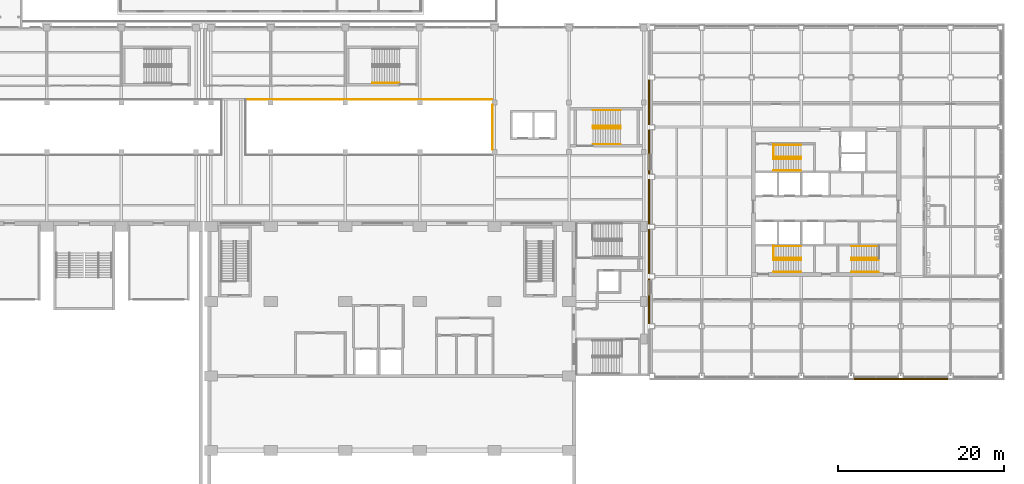
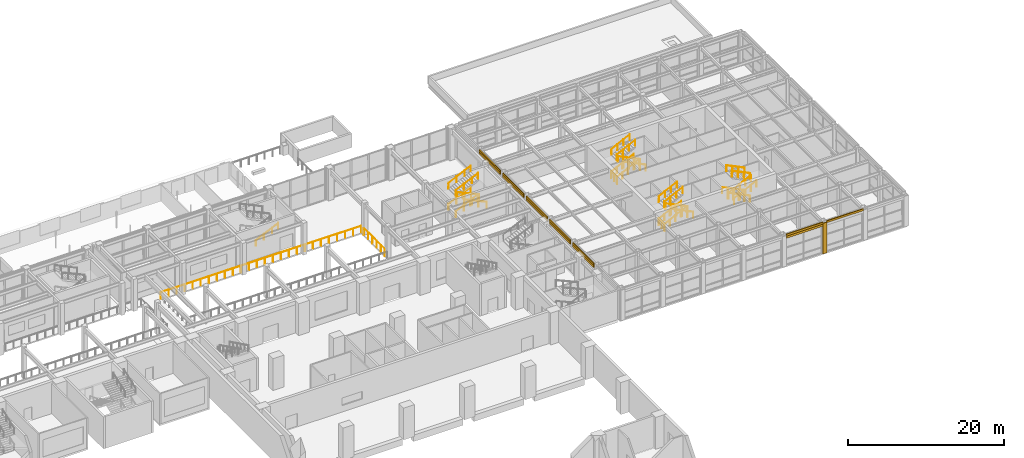
# One storey, part 60 of 67: 29 railings, 14 coverings.
"""IFC4 building model written with IfcOpenShell, lengths in metres."""

from ifc_helpers import new_model, si_unit, direction, frame, origin, origin_2d, place, context, subcontext, project, spatial, polyline, circle, outline, extrude, material, layer, layer_set, type_object, element, save


model = new_model("IFC4")

# Units and contexts
model_context = context("Model", 3, precision=1e-05, world=origin(), true_north=direction((0.0, 1.0)))
body_context = subcontext(model_context, "Body", "Model", "MODEL_VIEW")
ifc_project = project(units=[si_unit("LENGTHUNIT", "METRE"), si_unit("AREAUNIT", "SQUARE_METRE"), si_unit("VOLUMEUNIT", "CUBIC_METRE"), si_unit("PLANEANGLEUNIT", "RADIAN"), si_unit("MASSUNIT", "GRAM", prefix="KILO")], contexts=[model_context])

# Site, building, storey
site_placement = place(None, origin())
site = spatial("IfcSite", under=ifc_project, at=site_placement, CompositionType="ELEMENT")
building_placement = place(site_placement, origin())
building = spatial("IfcBuilding", under=site, at=building_placement, Name="Aravalli Gate Trade Fair Centre", CompositionType="ELEMENT")
storey_placement = place(building_placement, frame((0.0, 0.0, 5.0)))
storey = spatial("IfcBuildingStorey", under=building, at=storey_placement, Name="L01", CompositionType="ELEMENT", Elevation=5.0)

# Railings
ifc_material_1 = material(Name="Steel E350", Category="steel")
railing_type_1 = type_object("IfcRailingType", Name="Concourse guard 1100", PredefinedType="GUARDRAIL", material=ifc_material_1)
railing_1_placement = place(storey_placement, frame((110.949951171875, 124.35009765625, 0.0)))
element("IfcRailing", 1, at=railing_1_placement, inside=storey, type_object=railing_type_1, Name="Atrium guard N4 L01", PredefinedType="GUARDRAIL", context=body_context, shape_type="SweptSolid", body=[
    extrude(circle(Radius=0.02392578125, at=origin_2d()), frame((0.0, 0.0, 1.076171875), z_axis=(1.0, 0.0, 0.0), x_axis=(0.0, 1.0, 0.0)), (0.0, 0.0, 1.0), 29.75),
    extrude(circle(Radius=0.02099609375, at=origin_2d()), origin(), (0.0, 0.0, 1.0), 1.052001953125),
    extrude(circle(Radius=0.02099609375, at=origin_2d()), frame((1.18994140625, 0.0, 0.0)), (0.0, 0.0, 1.0), 1.052001953125),
    extrude(circle(Radius=0.02099609375, at=origin_2d()), frame((2.3798828125, 0.0, 0.0)), (0.0, 0.0, 1.0), 1.052001953125),
    extrude(circle(Radius=0.02099609375, at=origin_2d()), frame((3.570068359375, 0.0, 0.0)), (0.0, 0.0, 1.0), 1.052001953125),
    extrude(circle(Radius=0.02099609375, at=origin_2d()), frame((4.760009765625, 0.0, 0.0)), (0.0, 0.0, 1.0), 1.052001953125),
    extrude(circle(Radius=0.02099609375, at=origin_2d()), frame((5.949951171875, 0.0, 0.0)), (0.0, 0.0, 1.0), 1.052001953125),
    extrude(circle(Radius=0.02099609375, at=origin_2d()), frame((7.139892578125, 0.0, 0.0)), (0.0, 0.0, 1.0), 1.052001953125),
    extrude(circle(Radius=0.02099609375, at=origin_2d()), frame((8.330078125, 0.0, 0.0)), (0.0, 0.0, 1.0), 1.052001953125),
    extrude(circle(Radius=0.02099609375, at=origin_2d()), frame((9.52001953125, 0.0, 0.0)), (0.0, 0.0, 1.0), 1.052001953125),
    extrude(circle(Radius=0.02099609375, at=origin_2d()), frame((10.7099609375, 0.0, 0.0)), (0.0, 0.0, 1.0), 1.052001953125),
    extrude(circle(Radius=0.02099609375, at=origin_2d()), frame((11.89990234375, 0.0, 0.0)), (0.0, 0.0, 1.0), 1.052001953125),
    extrude(circle(Radius=0.02099609375, at=origin_2d()), frame((13.090087890625, 0.0, 0.0)), (0.0, 0.0, 1.0), 1.052001953125),
    extrude(circle(Radius=0.02099609375, at=origin_2d()), frame((14.280029296875, 0.0, 0.0)), (0.0, 0.0, 1.0), 1.052001953125),
    extrude(circle(Radius=0.02099609375, at=origin_2d()), frame((15.469970703125, 0.0, 0.0)), (0.0, 0.0, 1.0), 1.052001953125),
    extrude(circle(Radius=0.02099609375, at=origin_2d()), frame((16.659912109375, 0.0, 0.0)), (0.0, 0.0, 1.0), 1.052001953125),
    extrude(circle(Radius=0.02099609375, at=origin_2d()), frame((17.85009765625, 0.0, 0.0)), (0.0, 0.0, 1.0), 1.052001953125),
    extrude(circle(Radius=0.02099609375, at=origin_2d()), frame((19.0400390625, 0.0, 0.0)), (0.0, 0.0, 1.0), 1.052001953125),
    extrude(circle(Radius=0.02099609375, at=origin_2d()), frame((20.22998046875, 0.0, 0.0)), (0.0, 0.0, 1.0), 1.052001953125),
    extrude(circle(Radius=0.02099609375, at=origin_2d()), frame((21.419921875, 0.0, 0.0)), (0.0, 0.0, 1.0), 1.052001953125),
    extrude(circle(Radius=0.02099609375, at=origin_2d()), frame((22.610107421875, 0.0, 0.0)), (0.0, 0.0, 1.0), 1.052001953125),
    extrude(circle(Radius=0.02099609375, at=origin_2d()), frame((23.800048828125, 0.0, 0.0)), (0.0, 0.0, 1.0), 1.052001953125),
    extrude(circle(Radius=0.02099609375, at=origin_2d()), frame((24.989990234375, 0.0, 0.0)), (0.0, 0.0, 1.0), 1.052001953125),
    extrude(circle(Radius=0.02099609375, at=origin_2d()), frame((26.179931640625, 0.0, 0.0)), (0.0, 0.0, 1.0), 1.052001953125),
    extrude(circle(Radius=0.02099609375, at=origin_2d()), frame((27.3701171875, 0.0, 0.0)), (0.0, 0.0, 1.0), 1.052001953125),
    extrude(circle(Radius=0.02099609375, at=origin_2d()), frame((28.56005859375, 0.0, 0.0)), (0.0, 0.0, 1.0), 1.052001953125),
    extrude(circle(Radius=0.02099609375, at=origin_2d()), frame((29.75, 0.0, 0.0)), (0.0, 0.0, 1.0), 1.052001953125),
])
railing_2_placement = place(storey_placement, frame((140.75, 118.300048828125, 0.0)))
element("IfcRailing", 2, at=railing_2_placement, inside=storey, type_object=railing_type_1, Name="Atrium guard E L01", PredefinedType="GUARDRAIL", context=body_context, shape_type="SweptSolid", body=[
    extrude(circle(Radius=0.02392578125, at=origin_2d()), frame((0.0, 0.0, 1.076171875), z_axis=(0.0, 1.0, 0.0), x_axis=(-1.0, 0.0, 0.0)), (0.0, 0.0, 1.0), 5.39990234375),
    extrude(circle(Radius=0.02099609375, at=origin_2d()), origin(), (0.0, 0.0, 1.0), 1.052001953125),
    extrude(circle(Radius=0.02099609375, at=origin_2d()), frame((0.0, 1.080078125, 0.0)), (0.0, 0.0, 1.0), 1.052001953125),
    extrude(circle(Radius=0.02099609375, at=origin_2d()), frame((0.0, 2.159912109375, 0.0)), (0.0, 0.0, 1.0), 1.052001953125),
    extrude(circle(Radius=0.02099609375, at=origin_2d()), frame((0.0, 3.239990234375, 0.0)), (0.0, 0.0, 1.0), 1.052001953125),
    extrude(circle(Radius=0.02099609375, at=origin_2d()), frame((0.0, 4.31982421875, 0.0)), (0.0, 0.0, 1.0), 1.052001953125),
    extrude(circle(Radius=0.02099609375, at=origin_2d()), frame((0.0, 5.39990234375, 0.0)), (0.0, 0.0, 1.0), 1.052001953125),
])
railing_type_2 = type_object("IfcRailingType", Name="Concourse stair handrail 900", PredefinedType="HANDRAIL", material=ifc_material_1)
for number, where, name in (
    (3, (152.89990234375, 123.050048828125, 0.138916015625), "Handrail ES L01 flight 1o"),
    (4, (152.89990234375, 121.14990234375, 0.138916015625), "Handrail ES L01 flight 1i"),
):
    element("IfcRailing", number, at=place(storey_placement, frame(where)), inside=storey, type_object=railing_type_2, Name=name, PredefinedType="HANDRAIL", context=body_context, shape_type="SweptSolid", body=[
        extrude(circle(Radius=0.02392578125, at=origin_2d()), frame((0.0, 0.0, 0.8759765625), z_axis=(0.907532064172, 0.0, 0.419982800242), x_axis=(0.0, 1.0, 0.0)), (0.0, 0.0, 1.0), 1.322509765625),
        extrude(circle(Radius=0.02392578125, at=origin_2d()), frame((1.2001953125, 0.0, 1.43115234375), z_axis=(0.907429102623, 0.0, 0.420205216189), x_axis=(0.0, 1.0, 0.0)), (0.0, 0.0, 1.0), 1.322265625),
        extrude(circle(Radius=0.02392578125, at=origin_2d()), frame((2.400146484375, 0.0, 1.98681640625), z_axis=(0.907418235185, 0.0, 0.420228683522), x_axis=(0.0, 1.0, 0.0)), (0.0, 0.0, 1.0), 0.99169921875),
        extrude(circle(Radius=0.02099609375, at=origin_2d()), origin(), (0.0, 0.0, 1.0), 0.851806640625),
        extrude(circle(Radius=0.02099609375, at=origin_2d()), frame((1.2001953125, 0.0, 0.555419921875)), (0.0, 0.0, 1.0), 0.851806640625),
        extrude(circle(Radius=0.02099609375, at=origin_2d()), frame((2.400146484375, 0.0, 1.111083984375)), (0.0, 0.0, 1.0), 0.851806640625),
        extrude(circle(Radius=0.02099609375, at=origin_2d()), frame((3.300048828125, 0.0, 1.52783203125)), (0.0, 0.0, 1.0), 0.851806640625),
    ])
for number, where, name in (
    (5, (156.199951171875, 118.949951171875, 1.8056640625), "Handrail ES L01 flight 2o"),
    (6, (156.199951171875, 120.85009765625, 1.8056640625), "Handrail ES L01 flight 2i"),
):
    element("IfcRailing", number, at=place(storey_placement, frame(where)), inside=storey, type_object=railing_type_2, Name=name, PredefinedType="HANDRAIL", context=body_context, shape_type="SweptSolid", body=[
        extrude(circle(Radius=0.02392578125, at=origin_2d()), frame((0.0, 0.0, 0.8759765625), z_axis=(-0.907499493834, 0.0, 0.420053173647), x_axis=(0.0, -1.0, 0.0)), (0.0, 0.0, 1.0), 1.322265625),
        extrude(circle(Radius=0.02392578125, at=origin_2d()), frame((-1.199951171875, 0.0, 1.43115234375), z_axis=(-0.907429102623, 0.0, 0.420205216189), x_axis=(0.0, -1.0, 0.0)), (0.0, 0.0, 1.0), 1.322265625),
        extrude(circle(Radius=0.02392578125, at=origin_2d()), frame((-2.39990234375, 0.0, 1.98681640625), z_axis=(-0.907555517655, 0.0, 0.419932116387), x_axis=(0.0, -1.0, 0.0)), (0.0, 0.0, 1.0), 0.991943359375),
        extrude(circle(Radius=0.02099609375, at=origin_2d()), origin(), (0.0, 0.0, 1.0), 0.851806640625),
        extrude(circle(Radius=0.02099609375, at=origin_2d()), frame((-1.199951171875, 0.0, 0.555419921875)), (0.0, 0.0, 1.0), 0.851806640625),
        extrude(circle(Radius=0.02099609375, at=origin_2d()), frame((-2.39990234375, 0.0, 1.111083984375)), (0.0, 0.0, 1.0), 0.851806640625),
        extrude(circle(Radius=0.02099609375, at=origin_2d()), frame((-3.300048828125, 0.0, 1.527587890625)), (0.0, 0.0, 1.0), 0.851806640625),
    ])
for number, where, name in (
    (7, (152.89990234375, 123.050048828125, 3.47216796875), "Handrail ES L01 flight 3o"),
    (8, (152.89990234375, 121.14990234375, 3.47216796875), "Handrail ES L01 flight 3i"),
):
    element("IfcRailing", number, at=place(storey_placement, frame(where)), inside=storey, type_object=railing_type_2, Name=name, PredefinedType="HANDRAIL", context=body_context, shape_type="SweptSolid", body=[
        extrude(circle(Radius=0.02392578125, at=origin_2d()), frame((0.0, 0.0, 0.8759765625), z_axis=(0.907461694017, 0.0, 0.420134828231), x_axis=(0.0, 1.0, 0.0)), (0.0, 0.0, 1.0), 1.322509765625),
        extrude(circle(Radius=0.02392578125, at=origin_2d()), frame((1.2001953125, 0.0, 1.431640625), z_axis=(0.907499493834, 0.0, 0.420053173647), x_axis=(0.0, 1.0, 0.0)), (0.0, 0.0, 1.0), 1.322265625),
        extrude(circle(Radius=0.02392578125, at=origin_2d()), frame((2.400146484375, 0.0, 1.98681640625), z_axis=(0.907418235185, 0.0, 0.420228683522), x_axis=(0.0, 1.0, 0.0)), (0.0, 0.0, 1.0), 0.99169921875),
        extrude(circle(Radius=0.02099609375, at=origin_2d()), origin(), (0.0, 0.0, 1.0), 0.851806640625),
        extrude(circle(Radius=0.02099609375, at=origin_2d()), frame((1.2001953125, 0.0, 0.5556640625)), (0.0, 0.0, 1.0), 0.851806640625),
        extrude(circle(Radius=0.02099609375, at=origin_2d()), frame((2.400146484375, 0.0, 1.111083984375)), (0.0, 0.0, 1.0), 0.851806640625),
        extrude(circle(Radius=0.02099609375, at=origin_2d()), frame((3.300048828125, 0.0, 1.52783203125)), (0.0, 0.0, 1.0), 0.851806640625),
    ])
railing_3_placement = place(storey_placement, frame((126.25, 126.35009765625, 1.8056640625)))
element("IfcRailing", 9, at=railing_3_placement, inside=storey, type_object=railing_type_2, Name="Handrail XE L01 flight 2o", PredefinedType="HANDRAIL", context=body_context, shape_type="SweptSolid", body=[
    extrude(circle(Radius=0.02392578125, at=origin_2d()), frame((0.0, 0.0, 0.8759765625), z_axis=(0.907499493834, 0.0, 0.420053173647), x_axis=(0.0, 1.0, 0.0)), (0.0, 0.0, 1.0), 1.322265625),
    extrude(circle(Radius=0.02392578125, at=origin_2d()), frame((1.199951171875, 0.0, 1.43115234375), z_axis=(0.907429102623, 0.0, 0.420205216189), x_axis=(0.0, 1.0, 0.0)), (0.0, 0.0, 1.0), 1.322265625),
    extrude(circle(Radius=0.02392578125, at=origin_2d()), frame((2.39990234375, 0.0, 1.98681640625), z_axis=(0.907555517655, 0.0, 0.419932116387), x_axis=(0.0, 1.0, 0.0)), (0.0, 0.0, 1.0), 0.991943359375),
    extrude(circle(Radius=0.02099609375, at=origin_2d()), origin(), (0.0, 0.0, 1.0), 0.851806640625),
    extrude(circle(Radius=0.02099609375, at=origin_2d()), frame((1.199951171875, 0.0, 0.555419921875)), (0.0, 0.0, 1.0), 0.851806640625),
    extrude(circle(Radius=0.02099609375, at=origin_2d()), frame((2.39990234375, 0.0, 1.111083984375)), (0.0, 0.0, 1.0), 0.851806640625),
    extrude(circle(Radius=0.02099609375, at=origin_2d()), frame((3.300048828125, 0.0, 1.527587890625)), (0.0, 0.0, 1.0), 0.851806640625),
])

# Coverings
ifc_material_2 = material(Name="Dholpur sandstone", Category="masonry")
ifc_layer_1 = layer(ifc_material_2, 0.14990234375)
ifc_layer_set_1 = layer_set([ifc_layer_1], Name="Dholpur sandstone")
covering_type_1 = type_object("IfcCoveringType", Name="Wing sandstone pier casing 150", PredefinedType="CLADDING", material=ifc_layer_set_1)
covering_1_placement = place(storey_placement, origin())
element("IfcCovering", 10, at=covering_1_placement, inside=storey, type_object=covering_type_1, Name="Pier casing 23F S L01", PredefinedType="CLADDING", context=body_context, shape_type="SweptSolid", body=[
    extrude(outline(polyline([(189.699951171875, 90.550048828125), (190.300048828125, 90.550048828125), (190.300048828125, 90.699951171875), (189.699951171875, 90.699951171875), (189.699951171875, 90.550048828125)])), origin(), (0.0, 0.0, 1.0), 4.800048828125),
])
ifc_material_3 = material(Name="Glazed terracotta", Category="masonry")
ifc_layer_2 = layer(ifc_material_3, 0.14501953125)
ifc_layer_set_2 = layer_set([ifc_layer_2], Name="Glazed terracotta")
covering_type_2 = type_object("IfcCoveringType", Name="Wing spandrel band 145", PredefinedType="CLADDING", material=ifc_layer_set_2)
covering_2_placement = place(storey_placement, frame((0.0, 0.0, 4.35009765625)))
element("IfcCovering", 11, at=covering_2_placement, inside=storey, type_object=covering_type_2, Name="Spandrel band S4 L01", PredefinedType="CLADDING", context=body_context, shape_type="SweptSolid", body=[
    extrude(outline(polyline([(184.300048828125, 90.550048828125), (189.699951171875, 90.550048828125), (189.699951171875, 90.695068359375), (184.300048828125, 90.695068359375), (184.300048828125, 90.550048828125)])), origin(), (0.0, 0.0, 1.0), 0.349853515625),
])
covering_3_placement = place(storey_placement, frame((0.0, 0.0, 4.35009765625)))
element("IfcCovering", 12, at=covering_3_placement, inside=storey, type_object=covering_type_2, Name="Spandrel band W1 L01", PredefinedType="CLADDING", context=body_context, shape_type="SweptSolid", body=[
    extrude(outline(polyline([(159.550048828125, 97.300048828125), (159.695068359375, 97.300048828125), (159.695068359375, 102.699951171875), (159.550048828125, 102.699951171875), (159.550048828125, 97.300048828125)])), origin(), (0.0, 0.0, 1.0), 0.349853515625),
])
covering_4_placement = place(storey_placement, frame((0.0, 0.0, 4.35009765625)))
element("IfcCovering", 13, at=covering_4_placement, inside=storey, type_object=covering_type_2, Name="Spandrel band W2 L01", PredefinedType="CLADDING", context=body_context, shape_type="SweptSolid", body=[
    extrude(outline(polyline([(159.550048828125, 103.300048828125), (159.695068359375, 103.300048828125), (159.695068359375, 108.699951171875), (159.550048828125, 108.699951171875), (159.550048828125, 103.300048828125)])), origin(), (0.0, 0.0, 1.0), 0.349853515625),
])
covering_5_placement = place(storey_placement, frame((0.0, 0.0, 4.35009765625)))
element("IfcCovering", 14, at=covering_5_placement, inside=storey, type_object=covering_type_2, Name="Spandrel band W3 L01", PredefinedType="CLADDING", context=body_context, shape_type="SweptSolid", body=[
    extrude(outline(polyline([(159.550048828125, 109.300048828125), (159.695068359375, 109.300048828125), (159.695068359375, 114.699951171875), (159.550048828125, 114.699951171875), (159.550048828125, 109.300048828125)])), origin(), (0.0, 0.0, 1.0), 0.349853515625),
])
covering_6_placement = place(storey_placement, frame((0.0, 0.0, 4.35009765625)))
element("IfcCovering", 15, at=covering_6_placement, inside=storey, type_object=covering_type_2, Name="Spandrel band W4 L01", PredefinedType="CLADDING", context=body_context, shape_type="SweptSolid", body=[
    extrude(outline(polyline([(159.550048828125, 115.300048828125), (159.695068359375, 115.300048828125), (159.695068359375, 120.699951171875), (159.550048828125, 120.699951171875), (159.550048828125, 115.300048828125)])), origin(), (0.0, 0.0, 1.0), 0.349853515625),
])
covering_7_placement = place(storey_placement, frame((0.0, 0.0, 4.35009765625)))
element("IfcCovering", 16, at=covering_7_placement, inside=storey, type_object=covering_type_2, Name="Spandrel band W5 L01", PredefinedType="CLADDING", context=body_context, shape_type="SweptSolid", body=[
    extrude(outline(polyline([(159.550048828125, 121.300048828125), (159.695068359375, 121.300048828125), (159.695068359375, 126.699951171875), (159.550048828125, 126.699951171875), (159.550048828125, 121.300048828125)])), origin(), (0.0, 0.0, 1.0), 0.349853515625),
])

# Railings
railing_type_3 = type_object("IfcRailingType", Name="Wing stair handrail", PredefinedType="HANDRAIL", material=ifc_material_1)
for number, where, name in (
    (17, (174.64990234375, 105.219970703125, 0.14697265625), "Handrail S2 L01 1a"),
    (18, (174.64990234375, 106.639892578125, 0.14697265625), "Handrail S2 L01 1b"),
):
    element("IfcRailing", number, at=place(storey_placement, frame(where)), inside=storey, type_object=railing_type_3, Name=name, PredefinedType="HANDRAIL", context=body_context, shape_type="SweptSolid", body=[
        extrude(circle(Radius=0.02392578125, at=origin_2d()), frame((0.0, 0.0, 0.92578125), z_axis=(0.897920207933, 0.0, 0.440158267202), x_axis=(0.0, 1.0, 0.0)), (0.0, 0.0, 1.0), 3.67529296875),
        extrude(circle(Radius=0.02099609375, at=origin_2d()), origin(), (0.0, 0.0, 1.0), 0.90185546875),
        extrude(circle(Radius=0.02099609375, at=origin_2d()), frame((0.824951171875, 0.0, 0.404296875)), (0.0, 0.0, 1.0), 0.90185546875),
        extrude(circle(Radius=0.02099609375, at=origin_2d()), frame((1.64990234375, 0.0, 0.808837890625)), (0.0, 0.0, 1.0), 0.90185546875),
        extrude(circle(Radius=0.02099609375, at=origin_2d()), frame((2.47509765625, 0.0, 1.21337890625)), (0.0, 0.0, 1.0), 0.90185546875),
        extrude(circle(Radius=0.02099609375, at=origin_2d()), frame((3.300048828125, 0.0, 1.61767578125)), (0.0, 0.0, 1.0), 0.90185546875),
    ])
for number, where, name in (
    (19, (177.949951171875, 103.56005859375, 1.911865234375), "Handrail S2 L01 2a"),
    (20, (177.949951171875, 104.97998046875, 1.911865234375), "Handrail S2 L01 2b"),
):
    element("IfcRailing", number, at=place(storey_placement, frame(where)), inside=storey, type_object=railing_type_3, Name=name, PredefinedType="HANDRAIL", context=body_context, shape_type="SweptSolid", body=[
        extrude(circle(Radius=0.02392578125, at=origin_2d()), frame((0.0, 0.0, 0.92578125), z_axis=(-0.897946461621, 0.0, 0.440104705795), x_axis=(0.0, -1.0, 0.0)), (0.0, 0.0, 1.0), 3.675048828125),
        extrude(circle(Radius=0.02099609375, at=origin_2d()), origin(), (0.0, 0.0, 1.0), 0.90185546875),
        extrude(circle(Radius=0.02099609375, at=origin_2d()), frame((-0.824951171875, 0.0, 0.404296875)), (0.0, 0.0, 1.0), 0.90185546875),
        extrude(circle(Radius=0.02099609375, at=origin_2d()), frame((-1.64990234375, 0.0, 0.80859375)), (0.0, 0.0, 1.0), 0.90185546875),
        extrude(circle(Radius=0.02099609375, at=origin_2d()), frame((-2.47509765625, 0.0, 1.213134765625)), (0.0, 0.0, 1.0), 0.90185546875),
        extrude(circle(Radius=0.02099609375, at=origin_2d()), frame((-3.300048828125, 0.0, 1.617431640625)), (0.0, 0.0, 1.0), 0.90185546875),
    ])
for number, where, name in (
    (21, (174.64990234375, 105.219970703125, 3.676513671875), "Handrail S2 L01 3a"),
    (22, (174.64990234375, 106.639892578125, 3.676513671875), "Handrail S2 L01 3b"),
):
    element("IfcRailing", number, at=place(storey_placement, frame(where)), inside=storey, type_object=railing_type_3, Name=name, PredefinedType="HANDRAIL", context=body_context, shape_type="SweptSolid", body=[
        extrude(circle(Radius=0.02392578125, at=origin_2d()), frame((0.0, 0.0, 0.92578125), z_axis=(0.897938967857, 0.0, 0.440119995005), x_axis=(0.0, 1.0, 0.0)), (0.0, 0.0, 1.0), 3.007080078125),
        extrude(circle(Radius=0.02099609375, at=origin_2d()), origin(), (0.0, 0.0, 1.0), 0.90185546875),
        extrude(circle(Radius=0.02099609375, at=origin_2d()), frame((0.900146484375, 0.0, 0.441162109375)), (0.0, 0.0, 1.0), 0.90185546875),
        extrude(circle(Radius=0.02099609375, at=origin_2d()), frame((1.800048828125, 0.0, 0.88232421875)), (0.0, 0.0, 1.0), 0.90185546875),
        extrude(circle(Radius=0.02099609375, at=origin_2d()), frame((2.7001953125, 0.0, 1.323486328125)), (0.0, 0.0, 1.0), 0.90185546875),
    ])
for number, where, name in (
    (23, (187.35009765625, 105.219970703125, 0.14697265625), "Handrail S1 L01 1a"),
    (24, (187.35009765625, 106.639892578125, 0.14697265625), "Handrail S1 L01 1b"),
):
    element("IfcRailing", number, at=place(storey_placement, frame(where)), inside=storey, type_object=railing_type_3, Name=name, PredefinedType="HANDRAIL", context=body_context, shape_type="SweptSolid", body=[
        extrude(circle(Radius=0.02392578125, at=origin_2d()), frame((0.0, 0.0, 0.92578125), z_axis=(-0.897920207933, 0.0, 0.440158267202), x_axis=(0.0, -1.0, 0.0)), (0.0, 0.0, 1.0), 3.67529296875),
        extrude(circle(Radius=0.02099609375, at=origin_2d()), origin(), (0.0, 0.0, 1.0), 0.90185546875),
        extrude(circle(Radius=0.02099609375, at=origin_2d()), frame((-0.824951171875, 0.0, 0.404296875)), (0.0, 0.0, 1.0), 0.90185546875),
        extrude(circle(Radius=0.02099609375, at=origin_2d()), frame((-1.64990234375, 0.0, 0.808837890625)), (0.0, 0.0, 1.0), 0.90185546875),
        extrude(circle(Radius=0.02099609375, at=origin_2d()), frame((-2.47509765625, 0.0, 1.21337890625)), (0.0, 0.0, 1.0), 0.90185546875),
        extrude(circle(Radius=0.02099609375, at=origin_2d()), frame((-3.300048828125, 0.0, 1.61767578125)), (0.0, 0.0, 1.0), 0.90185546875),
    ])
for number, where, name in (
    (25, (184.050048828125, 103.56005859375, 1.911865234375), "Handrail S1 L01 2a"),
    (26, (184.050048828125, 104.97998046875, 1.911865234375), "Handrail S1 L01 2b"),
):
    element("IfcRailing", number, at=place(storey_placement, frame(where)), inside=storey, type_object=railing_type_3, Name=name, PredefinedType="HANDRAIL", context=body_context, shape_type="SweptSolid", body=[
        extrude(circle(Radius=0.02392578125, at=origin_2d()), frame((0.0, 0.0, 0.92578125), z_axis=(0.897946461621, 0.0, 0.440104705795), x_axis=(0.0, 1.0, 0.0)), (0.0, 0.0, 1.0), 3.675048828125),
        extrude(circle(Radius=0.02099609375, at=origin_2d()), origin(), (0.0, 0.0, 1.0), 0.90185546875),
        extrude(circle(Radius=0.02099609375, at=origin_2d()), frame((0.824951171875, 0.0, 0.404296875)), (0.0, 0.0, 1.0), 0.90185546875),
        extrude(circle(Radius=0.02099609375, at=origin_2d()), frame((1.64990234375, 0.0, 0.80859375)), (0.0, 0.0, 1.0), 0.90185546875),
        extrude(circle(Radius=0.02099609375, at=origin_2d()), frame((2.47509765625, 0.0, 1.213134765625)), (0.0, 0.0, 1.0), 0.90185546875),
        extrude(circle(Radius=0.02099609375, at=origin_2d()), frame((3.300048828125, 0.0, 1.617431640625)), (0.0, 0.0, 1.0), 0.90185546875),
    ])
for number, where, name in (
    (27, (187.35009765625, 105.219970703125, 3.676513671875), "Handrail S1 L01 3a"),
    (28, (187.35009765625, 106.639892578125, 3.676513671875), "Handrail S1 L01 3b"),
):
    element("IfcRailing", number, at=place(storey_placement, frame(where)), inside=storey, type_object=railing_type_3, Name=name, PredefinedType="HANDRAIL", context=body_context, shape_type="SweptSolid", body=[
        extrude(circle(Radius=0.02392578125, at=origin_2d()), frame((0.0, 0.0, 0.92578125), z_axis=(-0.897938967857, 0.0, 0.440119995005), x_axis=(0.0, -1.0, 0.0)), (0.0, 0.0, 1.0), 3.007080078125),
        extrude(circle(Radius=0.02099609375, at=origin_2d()), origin(), (0.0, 0.0, 1.0), 0.90185546875),
        extrude(circle(Radius=0.02099609375, at=origin_2d()), frame((-0.900146484375, 0.0, 0.441162109375)), (0.0, 0.0, 1.0), 0.90185546875),
        extrude(circle(Radius=0.02099609375, at=origin_2d()), frame((-1.800048828125, 0.0, 0.88232421875)), (0.0, 0.0, 1.0), 0.90185546875),
        extrude(circle(Radius=0.02099609375, at=origin_2d()), frame((-2.7001953125, 0.0, 1.323486328125)), (0.0, 0.0, 1.0), 0.90185546875),
    ])
for number, where, name in (
    (29, (174.64990234375, 117.419921875, 0.14697265625), "Handrail FFS L01 1a"),
    (30, (174.64990234375, 118.840087890625, 0.14697265625), "Handrail FFS L01 1b"),
):
    element("IfcRailing", number, at=place(storey_placement, frame(where)), inside=storey, type_object=railing_type_3, Name=name, PredefinedType="HANDRAIL", context=body_context, shape_type="SweptSolid", body=[
        extrude(circle(Radius=0.02392578125, at=origin_2d()), frame((0.0, 0.0, 0.92578125), z_axis=(0.897920207933, 0.0, 0.440158267202), x_axis=(0.0, 1.0, 0.0)), (0.0, 0.0, 1.0), 3.67529296875),
        extrude(circle(Radius=0.02099609375, at=origin_2d()), origin(), (0.0, 0.0, 1.0), 0.90185546875),
        extrude(circle(Radius=0.02099609375, at=origin_2d()), frame((0.824951171875, 0.0, 0.404296875)), (0.0, 0.0, 1.0), 0.90185546875),
        extrude(circle(Radius=0.02099609375, at=origin_2d()), frame((1.64990234375, 0.0, 0.808837890625)), (0.0, 0.0, 1.0), 0.90185546875),
        extrude(circle(Radius=0.02099609375, at=origin_2d()), frame((2.47509765625, 0.0, 1.21337890625)), (0.0, 0.0, 1.0), 0.90185546875),
        extrude(circle(Radius=0.02099609375, at=origin_2d()), frame((3.300048828125, 0.0, 1.61767578125)), (0.0, 0.0, 1.0), 0.90185546875),
    ])
for number, where, name in (
    (31, (177.949951171875, 115.760009765625, 1.911865234375), "Handrail FFS L01 2a"),
    (32, (177.949951171875, 117.179931640625, 1.911865234375), "Handrail FFS L01 2b"),
):
    element("IfcRailing", number, at=place(storey_placement, frame(where)), inside=storey, type_object=railing_type_3, Name=name, PredefinedType="HANDRAIL", context=body_context, shape_type="SweptSolid", body=[
        extrude(circle(Radius=0.02392578125, at=origin_2d()), frame((0.0, 0.0, 0.92578125), z_axis=(-0.897946461621, 0.0, 0.440104705795), x_axis=(0.0, -1.0, 0.0)), (0.0, 0.0, 1.0), 3.675048828125),
        extrude(circle(Radius=0.02099609375, at=origin_2d()), origin(), (0.0, 0.0, 1.0), 0.90185546875),
        extrude(circle(Radius=0.02099609375, at=origin_2d()), frame((-0.824951171875, 0.0, 0.404296875)), (0.0, 0.0, 1.0), 0.90185546875),
        extrude(circle(Radius=0.02099609375, at=origin_2d()), frame((-1.64990234375, 0.0, 0.80859375)), (0.0, 0.0, 1.0), 0.90185546875),
        extrude(circle(Radius=0.02099609375, at=origin_2d()), frame((-2.47509765625, 0.0, 1.213134765625)), (0.0, 0.0, 1.0), 0.90185546875),
        extrude(circle(Radius=0.02099609375, at=origin_2d()), frame((-3.300048828125, 0.0, 1.617431640625)), (0.0, 0.0, 1.0), 0.90185546875),
    ])
for number, where, name in (
    (33, (174.64990234375, 117.419921875, 3.676513671875), "Handrail FFS L01 3a"),
    (34, (174.64990234375, 118.840087890625, 3.676513671875), "Handrail FFS L01 3b"),
):
    element("IfcRailing", number, at=place(storey_placement, frame(where)), inside=storey, type_object=railing_type_3, Name=name, PredefinedType="HANDRAIL", context=body_context, shape_type="SweptSolid", body=[
        extrude(circle(Radius=0.02392578125, at=origin_2d()), frame((0.0, 0.0, 0.92578125), z_axis=(0.897938967857, 0.0, 0.440119995005), x_axis=(0.0, 1.0, 0.0)), (0.0, 0.0, 1.0), 3.007080078125),
        extrude(circle(Radius=0.02099609375, at=origin_2d()), origin(), (0.0, 0.0, 1.0), 0.90185546875),
        extrude(circle(Radius=0.02099609375, at=origin_2d()), frame((0.900146484375, 0.0, 0.441162109375)), (0.0, 0.0, 1.0), 0.90185546875),
        extrude(circle(Radius=0.02099609375, at=origin_2d()), frame((1.800048828125, 0.0, 0.88232421875)), (0.0, 0.0, 1.0), 0.90185546875),
        extrude(circle(Radius=0.02099609375, at=origin_2d()), frame((2.7001953125, 0.0, 1.323486328125)), (0.0, 0.0, 1.0), 0.90185546875),
    ])
railing_type_4 = type_object("IfcRailingType", Name="Wing stair roof guard", PredefinedType="GUARDRAIL", material=ifc_material_1)
railing_4_placement = place(storey_placement, frame((174.64990234375, 105.159912109375, 0.0)))
element("IfcRailing", 35, at=railing_4_placement, inside=storey, type_object=railing_type_4, Name="Guard S2 landing L01", PredefinedType="GUARDRAIL", context=body_context, shape_type="SweptSolid", body=[
    extrude(circle(Radius=0.02392578125, at=origin_2d()), frame((0.0, 0.0, 1.076171875), z_axis=(0.0, 1.0, 0.0), x_axis=(-1.0, 0.0, 0.0)), (0.0, 0.0, 1.0), 1.5400390625),
    extrude(circle(Radius=0.02099609375, at=origin_2d()), origin(), (0.0, 0.0, 1.0), 1.052001953125),
    extrude(circle(Radius=0.02099609375, at=origin_2d()), frame((0.0, 0.77001953125, 0.0)), (0.0, 0.0, 1.0), 1.052001953125),
    extrude(circle(Radius=0.02099609375, at=origin_2d()), frame((0.0, 1.5400390625, 0.0)), (0.0, 0.0, 1.0), 1.052001953125),
])
railing_5_placement = place(storey_placement, frame((174.64990234375, 117.360107421875, 0.0)))
element("IfcRailing", 36, at=railing_5_placement, inside=storey, type_object=railing_type_4, Name="Guard FFS landing L01", PredefinedType="GUARDRAIL", context=body_context, shape_type="SweptSolid", body=[
    extrude(circle(Radius=0.02392578125, at=origin_2d()), frame((0.0, 0.0, 1.076171875), z_axis=(0.0, 1.0, 0.0), x_axis=(-1.0, 0.0, 0.0)), (0.0, 0.0, 1.0), 1.539794921875),
    extrude(circle(Radius=0.02099609375, at=origin_2d()), origin(), (0.0, 0.0, 1.0), 1.052001953125),
    extrude(circle(Radius=0.02099609375, at=origin_2d()), frame((0.0, 0.77001953125, 0.0)), (0.0, 0.0, 1.0), 1.052001953125),
    extrude(circle(Radius=0.02099609375, at=origin_2d()), frame((0.0, 1.539794921875, 0.0)), (0.0, 0.0, 1.0), 1.052001953125),
])

# Coverings
ifc_layer_3 = layer(ifc_material_2, 0.14501953125)
ifc_layer_set_3 = layer_set([ifc_layer_3], Name="Dholpur sandstone")
covering_type_3 = type_object("IfcCoveringType", Name="Wing stone spandrel band 145", PredefinedType="CLADDING", material=ifc_layer_set_3)
covering_8_placement = place(storey_placement, frame((0.0, 0.0, 4.699951171875)))
element("IfcCovering", 37, at=covering_8_placement, inside=storey, type_object=covering_type_3, Name="Stone spandrel band S4 L01", PredefinedType="CLADDING", context=body_context, shape_type="SweptSolid", body=[
    extrude(outline(polyline([(184.300048828125, 90.550048828125), (189.699951171875, 90.550048828125), (189.699951171875, 90.695068359375), (184.300048828125, 90.695068359375), (184.300048828125, 90.550048828125)])), origin(), (0.0, 0.0, 1.0), 0.300048828125),
])
covering_9_placement = place(storey_placement, frame((0.0, 0.0, 4.699951171875)))
element("IfcCovering", 38, at=covering_9_placement, inside=storey, type_object=covering_type_3, Name="Stone spandrel band S5 L01", PredefinedType="CLADDING", context=body_context, shape_type="SweptSolid", body=[
    extrude(outline(polyline([(190.300048828125, 90.550048828125), (195.699951171875, 90.550048828125), (195.699951171875, 90.695068359375), (190.300048828125, 90.695068359375), (190.300048828125, 90.550048828125)])), origin(), (0.0, 0.0, 1.0), 0.300048828125),
])
covering_10_placement = place(storey_placement, frame((0.0, 0.0, 4.699951171875)))
element("IfcCovering", 39, at=covering_10_placement, inside=storey, type_object=covering_type_3, Name="Stone spandrel band W1 L01", PredefinedType="CLADDING", context=body_context, shape_type="SweptSolid", body=[
    extrude(outline(polyline([(159.550048828125, 97.300048828125), (159.695068359375, 97.300048828125), (159.695068359375, 102.699951171875), (159.550048828125, 102.699951171875), (159.550048828125, 97.300048828125)])), origin(), (0.0, 0.0, 1.0), 0.300048828125),
])
covering_11_placement = place(storey_placement, frame((0.0, 0.0, 4.699951171875)))
element("IfcCovering", 40, at=covering_11_placement, inside=storey, type_object=covering_type_3, Name="Stone spandrel band W2 L01", PredefinedType="CLADDING", context=body_context, shape_type="SweptSolid", body=[
    extrude(outline(polyline([(159.550048828125, 103.300048828125), (159.695068359375, 103.300048828125), (159.695068359375, 108.699951171875), (159.550048828125, 108.699951171875), (159.550048828125, 103.300048828125)])), origin(), (0.0, 0.0, 1.0), 0.300048828125),
])
covering_12_placement = place(storey_placement, frame((0.0, 0.0, 4.699951171875)))
element("IfcCovering", 41, at=covering_12_placement, inside=storey, type_object=covering_type_3, Name="Stone spandrel band W3 L01", PredefinedType="CLADDING", context=body_context, shape_type="SweptSolid", body=[
    extrude(outline(polyline([(159.550048828125, 109.300048828125), (159.695068359375, 109.300048828125), (159.695068359375, 114.699951171875), (159.550048828125, 114.699951171875), (159.550048828125, 109.300048828125)])), origin(), (0.0, 0.0, 1.0), 0.300048828125),
])
covering_13_placement = place(storey_placement, frame((0.0, 0.0, 4.699951171875)))
element("IfcCovering", 42, at=covering_13_placement, inside=storey, type_object=covering_type_3, Name="Stone spandrel band W4 L01", PredefinedType="CLADDING", context=body_context, shape_type="SweptSolid", body=[
    extrude(outline(polyline([(159.550048828125, 115.300048828125), (159.695068359375, 115.300048828125), (159.695068359375, 120.699951171875), (159.550048828125, 120.699951171875), (159.550048828125, 115.300048828125)])), origin(), (0.0, 0.0, 1.0), 0.300048828125),
])
covering_14_placement = place(storey_placement, frame((0.0, 0.0, 4.699951171875)))
element("IfcCovering", 43, at=covering_14_placement, inside=storey, type_object=covering_type_3, Name="Stone spandrel band W5 L01", PredefinedType="CLADDING", context=body_context, shape_type="SweptSolid", body=[
    extrude(outline(polyline([(159.550048828125, 121.300048828125), (159.695068359375, 121.300048828125), (159.695068359375, 126.699951171875), (159.550048828125, 126.699951171875), (159.550048828125, 121.300048828125)])), origin(), (0.0, 0.0, 1.0), 0.300048828125),
])

save(model, "model.ifc")
